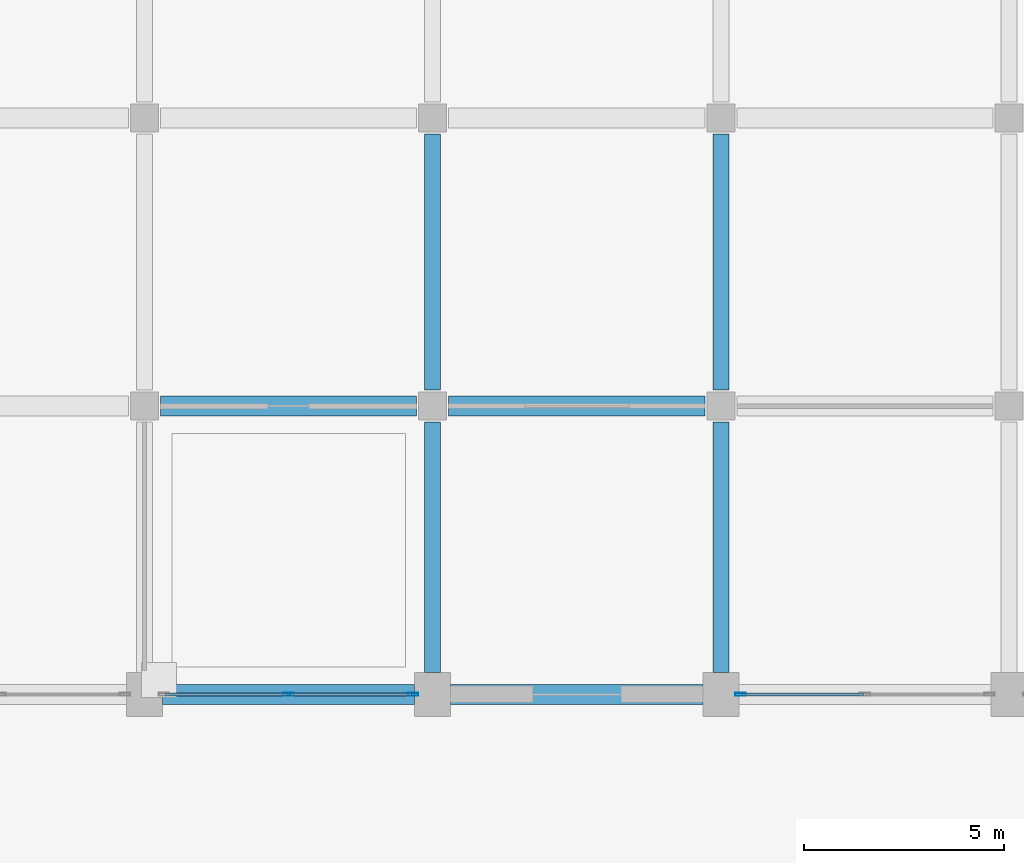
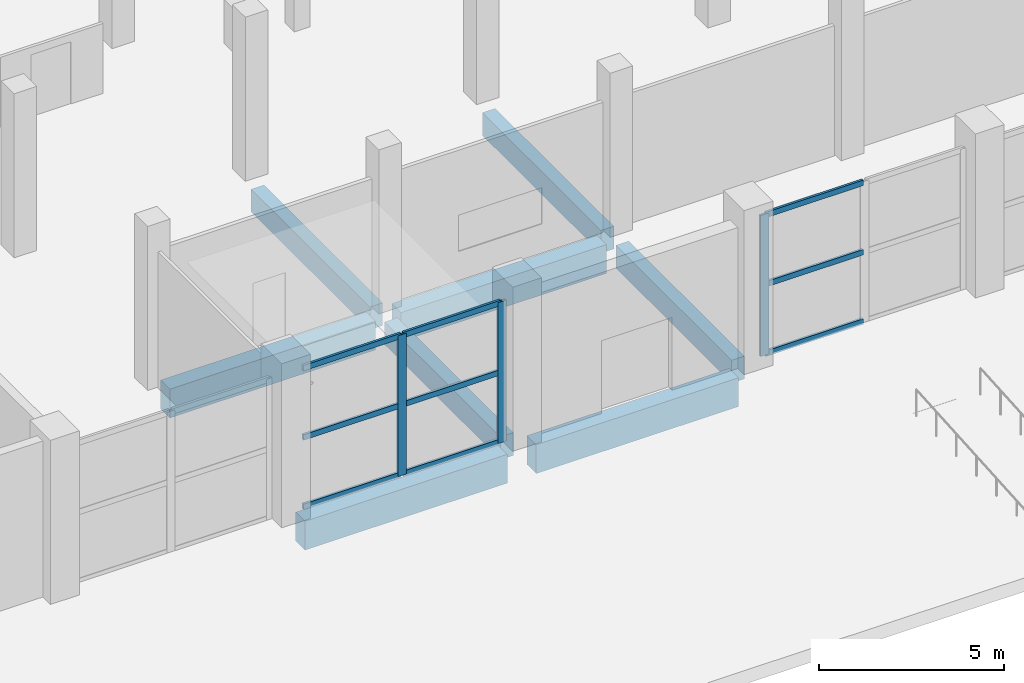
# One storey, part 5 of 70: 12 members, 8 beams, 2 elements without a shape of their own.
"""IFC4 building model written with IfcOpenShell, lengths in metres."""

from ifc_helpers import new_model, si_unit, direction, frame, origin, origin_2d, place, context, subcontext, project, spatial, rectangle, hollow_rectangle, extrude, material, material_profile, profile_set, type_object, element, aggregate, save


model = new_model("IFC4")

# Units and contexts
model_context = context("Model", 3, precision=1e-05, world=origin(), true_north=direction((0.0, 1.0)))
body_context = subcontext(model_context, "Body", "Model", "MODEL_VIEW")
ifc_project = project(units=[si_unit("LENGTHUNIT", "METRE"), si_unit("AREAUNIT", "SQUARE_METRE"), si_unit("VOLUMEUNIT", "CUBIC_METRE"), si_unit("PLANEANGLEUNIT", "RADIAN"), si_unit("MASSUNIT", "GRAM", prefix="KILO")], contexts=[model_context])

# Site, building, storey
site_placement = place(None, origin())
site = spatial("IfcSite", under=ifc_project, at=site_placement, CompositionType="ELEMENT")
building_placement = place(site_placement, origin())
building = spatial("IfcBuilding", under=site, at=building_placement, Name="Vesperath Aquatics Centre", CompositionType="ELEMENT")
storey_placement = place(building_placement, origin())
storey = spatial("IfcBuildingStorey", under=building, at=storey_placement, Name="L00", CompositionType="ELEMENT", Elevation=0.0)

# Beams
ifc_material_1 = material(Name="Concrete C40", Category="concrete")
ifc_material_profile_1 = material_profile(ifc_material_1, rectangle(XDim=0.5, YDim=0.949951171875, at=origin_2d()), Name="RC 500x950")
ifc_profile_set_1 = profile_set([ifc_material_profile_1], Name="Concrete C40")
beam_type_1 = type_object("IfcBeamType", Name="BM-G02", PredefinedType="BEAM", material=ifc_profile_set_1)
beam_1_placement = place(storey_placement, frame((14.85009765625, 14.39990234375, -0.7548828125), z_axis=(1.0, 0.0, 0.0), x_axis=(0.0, 1.0, 0.0)))
element("IfcBeam", 1, at=beam_1_placement, inside=storey, type_object=beam_type_1, Name="Floor Girder B02 L00 C 3-4", PredefinedType="BEAM", context=body_context, shape_type="SweptSolid", body=[
    extrude(rectangle(XDim=0.5, YDim=0.949951171875, at=origin_2d()), origin(), (0.0, 0.0, 1.0), 6.2998046875),
])
beam_2_placement = place(storey_placement, frame((14.800048828125, 21.60009765625, -0.7548828125), z_axis=(1.0, 0.0, 0.0), x_axis=(0.0, 1.0, 0.0)))
element("IfcBeam", 2, at=beam_2_placement, inside=storey, type_object=beam_type_1, Name="Floor Girder B02 L00 D 3-4", PredefinedType="BEAM", context=body_context, shape_type="SweptSolid", body=[
    extrude(rectangle(XDim=0.5, YDim=0.949951171875, at=origin_2d()), origin(), (0.0, 0.0, 1.0), 6.39990234375),
])
beam_3_placement = place(storey_placement, frame((22.050048828125, 14.39990234375, -0.7548828125), z_axis=(1.0, 0.0, 0.0), x_axis=(0.0, 1.0, 0.0)))
element("IfcBeam", 3, at=beam_3_placement, inside=storey, type_object=beam_type_1, Name="Floor Girder B02 L00 C 4-5", PredefinedType="BEAM", context=body_context, shape_type="SweptSolid", body=[
    extrude(rectangle(XDim=0.5, YDim=0.949951171875, at=origin_2d()), origin(), (0.0, 0.0, 1.0), 6.300048828125),
])
beam_4_placement = place(storey_placement, frame((22.0, 21.60009765625, -0.7548828125), z_axis=(1.0, 0.0, 0.0), x_axis=(0.0, 1.0, 0.0)))
element("IfcBeam", 4, at=beam_4_placement, inside=storey, type_object=beam_type_1, Name="Floor Girder B02 L00 D 4-5", PredefinedType="BEAM", context=body_context, shape_type="SweptSolid", body=[
    extrude(rectangle(XDim=0.5, YDim=0.949951171875, at=origin_2d()), origin(), (0.0, 0.0, 1.0), 6.39990234375),
])
ifc_material_2 = material(Name="Concrete C35", Category="concrete")
ifc_material_profile_2 = material_profile(ifc_material_2, rectangle(XDim=0.39990234375, YDim=0.75, at=origin_2d()), Name="RC 400x750")
ifc_profile_set_2 = profile_set([ifc_material_profile_2], Name="Concrete C35")
beam_type_2 = type_object("IfcBeamType", Name="BM-G04", PredefinedType="BEAM", material=ifc_profile_set_2)
beam_5_placement = place(storey_placement, frame((21.60009765625, 14.949951171875, -0.655029296875), z_axis=(0.0, 1.0, 0.0), x_axis=(-1.0, 0.0, 0.0)))
element("IfcBeam", 5, at=beam_5_placement, inside=storey, type_object=beam_type_2, Name="Floor Girder B04 L00 4 C-D", PredefinedType="BEAM", context=body_context, shape_type="SweptSolid", body=[
    extrude(rectangle(XDim=0.39990234375, YDim=0.75, at=origin_2d()), origin(), (0.0, 0.0, 1.0), 6.25),
])
beam_6_placement = place(storey_placement, frame((21.60009765625, 22.0, -0.655029296875), z_axis=(0.0, 1.0, 0.0), x_axis=(-1.0, 0.0, 0.0)))
element("IfcBeam", 6, at=beam_6_placement, inside=storey, type_object=beam_type_2, Name="Floor Girder B04 L00 4 D-E", PredefinedType="BEAM", context=body_context, shape_type="SweptSolid", body=[
    extrude(rectangle(XDim=0.39990234375, YDim=0.75, at=origin_2d()), origin(), (0.0, 0.0, 1.0), 6.39990234375),
])
beam_7_placement = place(storey_placement, frame((28.800048828125, 14.949951171875, -0.655029296875), z_axis=(0.0, 1.0, 0.0), x_axis=(-1.0, 0.0, 0.0)))
element("IfcBeam", 7, at=beam_7_placement, inside=storey, type_object=beam_type_2, Name="Floor Girder B04 L00 5 C-D", PredefinedType="BEAM", context=body_context, shape_type="SweptSolid", body=[
    extrude(rectangle(XDim=0.39990234375, YDim=0.75, at=origin_2d()), origin(), (0.0, 0.0, 1.0), 6.25),
])
beam_8_placement = place(storey_placement, frame((28.800048828125, 22.0, -0.655029296875), z_axis=(0.0, 1.0, 0.0), x_axis=(-1.0, 0.0, 0.0)))
element("IfcBeam", 8, at=beam_8_placement, inside=storey, type_object=beam_type_2, Name="Floor Girder B04 L00 5 D-E", PredefinedType="BEAM", context=body_context, shape_type="SweptSolid", body=[
    extrude(rectangle(XDim=0.39990234375, YDim=0.75, at=origin_2d()), origin(), (0.0, 0.0, 1.0), 6.39990234375),
])

# Curtain wall, members
ifc_material_3 = material(Name="Thermally broken anodised bronze aluminium curtain wall", Category="aluminium")
curtain_wall_type = type_object("IfcCurtainWallType", Name="CW-01", PredefinedType="NOTDEFINED", material=ifc_material_3)
curtain_wall_1_placement = place(storey_placement, origin())
curtain_wall_1 = element("IfcCurtainWall", 9, at=curtain_wall_1_placement, inside=storey, type_object=curtain_wall_type, Name="Facade Curtain Wall CW01 L00_S_02_02", PredefinedType="NOTDEFINED")
ifc_material_4 = material(Name="Thermally broken anodised aluminium", Category="aluminium")
ifc_material_profile_3 = material_profile(ifc_material_4, hollow_rectangle(XDim=0.074951171875, YDim=0.260009765625, WallThickness=0.006103515625, at=origin_2d()), Name="CWM 75x260x6")
ifc_profile_set_3 = profile_set([ifc_material_profile_3], Name="Thermally broken anodised aluminium")
member_type_1 = type_object("IfcMemberType", Name="MB-CWM1", PredefinedType="MULLION", material=ifc_profile_set_3)
member_1_placement = place(storey_placement, frame((18.0, 14.39990234375, 0.0), z_axis=(0.0, 0.0, 1.0), x_axis=(0.0, 1.0, 0.0)))
member_1 = element("IfcMember", 10, at=member_1_placement, type_object=member_type_1, Name="CW01 mullion 2", PredefinedType="MULLION", context=body_context, shape_type="SweptSolid", body=[
    extrude(hollow_rectangle(XDim=0.074951171875, YDim=0.260009765625, WallThickness=0.006103515625, at=origin_2d()), origin(), (0.0, 0.0, 1.0), 4.639892578125),
])
member_2_placement = place(storey_placement, frame((21.112548828125, 14.39990234375, 0.0), z_axis=(0.0, 0.0, 1.0), x_axis=(0.0, 1.0, 0.0)))
member_2 = element("IfcMember", 11, at=member_2_placement, type_object=member_type_1, Name="CW01 mullion 3", PredefinedType="MULLION", context=body_context, shape_type="SweptSolid", body=[
    extrude(hollow_rectangle(XDim=0.074951171875, YDim=0.260009765625, WallThickness=0.006103515625, at=origin_2d()), origin(), (0.0, 0.0, 1.0), 4.639892578125),
])

# Curtain wall, member
curtain_wall_2_placement = place(storey_placement, origin())
curtain_wall_2 = element("IfcCurtainWall", 12, at=curtain_wall_2_placement, inside=storey, type_object=curtain_wall_type, Name="Facade Curtain Wall CW01 L00_S_04_02", PredefinedType="NOTDEFINED")
member_3_placement = place(storey_placement, frame((29.28759765625, 14.39990234375, 0.0), z_axis=(0.0, 0.0, 1.0), x_axis=(0.0, 1.0, 0.0)))
member_3 = element("IfcMember", 13, at=member_3_placement, type_object=member_type_1, Name="CW01 mullion 1", PredefinedType="MULLION", context=body_context, shape_type="SweptSolid", body=[
    extrude(hollow_rectangle(XDim=0.074951171875, YDim=0.260009765625, WallThickness=0.006103515625, at=origin_2d()), origin(), (0.0, 0.0, 1.0), 4.639892578125),
])

# Member
ifc_material_profile_4 = material_profile(ifc_material_4, hollow_rectangle(XDim=0.074951171875, YDim=0.179931640625, WallThickness=0.0048828125, at=origin_2d()), Name="CWT 75x180x5")
ifc_profile_set_4 = profile_set([ifc_material_profile_4], Name="Thermally broken anodised aluminium")
member_type_2 = type_object("IfcMemberType", Name="MB-CWT1", PredefinedType="USERDEFINED", material=ifc_profile_set_4)
member_4_placement = place(storey_placement, frame((14.925048828125, 14.39990234375, 0.03759765625), z_axis=(1.0, 0.0, 0.0), x_axis=(0.0, 1.0, 0.0)))
member_4 = element("IfcMember", 14, at=member_4_placement, type_object=member_type_2, Name="CW01 transom 1.1", ObjectType="TRANSOM", PredefinedType="USERDEFINED", context=body_context, shape_type="SweptSolid", body=[
    extrude(hollow_rectangle(XDim=0.074951171875, YDim=0.179931640625, WallThickness=0.0048828125, at=origin_2d()), origin(), (0.0, 0.0, 1.0), 3.037353515625),
])

member_5_placement = place(storey_placement, frame((14.925048828125, 14.39990234375, 2.320068359375), z_axis=(1.0, 0.0, 0.0), x_axis=(0.0, 1.0, 0.0)))
member_5 = element("IfcMember", 15, at=member_5_placement, type_object=member_type_2, Name="CW01 transom 1.2", ObjectType="TRANSOM", PredefinedType="USERDEFINED", context=body_context, shape_type="SweptSolid", body=[
    extrude(hollow_rectangle(XDim=0.074951171875, YDim=0.179931640625, WallThickness=0.0048828125, at=origin_2d()), origin(), (0.0, 0.0, 1.0), 3.037353515625),
])

member_6_placement = place(storey_placement, frame((14.925048828125, 14.39990234375, 4.6025390625), z_axis=(1.0, 0.0, 0.0), x_axis=(0.0, 1.0, 0.0)))
member_6 = element("IfcMember", 16, at=member_6_placement, type_object=member_type_2, Name="CW01 transom 1.3", ObjectType="TRANSOM", PredefinedType="USERDEFINED", context=body_context, shape_type="SweptSolid", body=[
    extrude(hollow_rectangle(XDim=0.074951171875, YDim=0.179931640625, WallThickness=0.0048828125, at=origin_2d()), origin(), (0.0, 0.0, 1.0), 3.037353515625),
])

member_7_placement = place(storey_placement, frame((18.03759765625, 14.39990234375, 0.03759765625), z_axis=(1.0, 0.0, 0.0), x_axis=(0.0, 1.0, 0.0)))
member_7 = element("IfcMember", 17, at=member_7_placement, type_object=member_type_2, Name="CW01 transom 2.1", ObjectType="TRANSOM", PredefinedType="USERDEFINED", context=body_context, shape_type="SweptSolid", body=[
    extrude(hollow_rectangle(XDim=0.074951171875, YDim=0.179931640625, WallThickness=0.0048828125, at=origin_2d()), origin(), (0.0, 0.0, 1.0), 3.037353515625),
])

member_8_placement = place(storey_placement, frame((18.03759765625, 14.39990234375, 2.320068359375), z_axis=(1.0, 0.0, 0.0), x_axis=(0.0, 1.0, 0.0)))
member_8 = element("IfcMember", 18, at=member_8_placement, type_object=member_type_2, Name="CW01 transom 2.2", ObjectType="TRANSOM", PredefinedType="USERDEFINED", context=body_context, shape_type="SweptSolid", body=[
    extrude(hollow_rectangle(XDim=0.074951171875, YDim=0.179931640625, WallThickness=0.0048828125, at=origin_2d()), origin(), (0.0, 0.0, 1.0), 3.037353515625),
])

member_9_placement = place(storey_placement, frame((18.03759765625, 14.39990234375, 4.6025390625), z_axis=(1.0, 0.0, 0.0), x_axis=(0.0, 1.0, 0.0)))
member_9 = element("IfcMember", 19, at=member_9_placement, type_object=member_type_2, Name="CW01 transom 2.3", ObjectType="TRANSOM", PredefinedType="USERDEFINED", context=body_context, shape_type="SweptSolid", body=[
    extrude(hollow_rectangle(XDim=0.074951171875, YDim=0.179931640625, WallThickness=0.0048828125, at=origin_2d()), origin(), (0.0, 0.0, 1.0), 3.037353515625),
])

aggregate(curtain_wall_1, [member_1, member_2, member_4, member_5, member_6, member_7, member_8, member_9])

member_10_placement = place(storey_placement, frame((29.324951171875, 14.39990234375, 0.03759765625), z_axis=(1.0, 0.0, 0.0), x_axis=(0.0, 1.0, 0.0)))
member_10 = element("IfcMember", 20, at=member_10_placement, type_object=member_type_2, Name="CW01 transom 1.1", ObjectType="TRANSOM", PredefinedType="USERDEFINED", context=body_context, shape_type="SweptSolid", body=[
    extrude(hollow_rectangle(XDim=0.074951171875, YDim=0.179931640625, WallThickness=0.0048828125, at=origin_2d()), origin(), (0.0, 0.0, 1.0), 3.03759765625),
])

member_11_placement = place(storey_placement, frame((29.324951171875, 14.39990234375, 2.320068359375), z_axis=(1.0, 0.0, 0.0), x_axis=(0.0, 1.0, 0.0)))
member_11 = element("IfcMember", 21, at=member_11_placement, type_object=member_type_2, Name="CW01 transom 1.2", ObjectType="TRANSOM", PredefinedType="USERDEFINED", context=body_context, shape_type="SweptSolid", body=[
    extrude(hollow_rectangle(XDim=0.074951171875, YDim=0.179931640625, WallThickness=0.0048828125, at=origin_2d()), origin(), (0.0, 0.0, 1.0), 3.03759765625),
])

member_12_placement = place(storey_placement, frame((29.324951171875, 14.39990234375, 4.6025390625), z_axis=(1.0, 0.0, 0.0), x_axis=(0.0, 1.0, 0.0)))
member_12 = element("IfcMember", 22, at=member_12_placement, type_object=member_type_2, Name="CW01 transom 1.3", ObjectType="TRANSOM", PredefinedType="USERDEFINED", context=body_context, shape_type="SweptSolid", body=[
    extrude(hollow_rectangle(XDim=0.074951171875, YDim=0.179931640625, WallThickness=0.0048828125, at=origin_2d()), origin(), (0.0, 0.0, 1.0), 3.03759765625),
])

aggregate(curtain_wall_2, [member_3, member_10, member_11, member_12])

save(model, "model.ifc")
